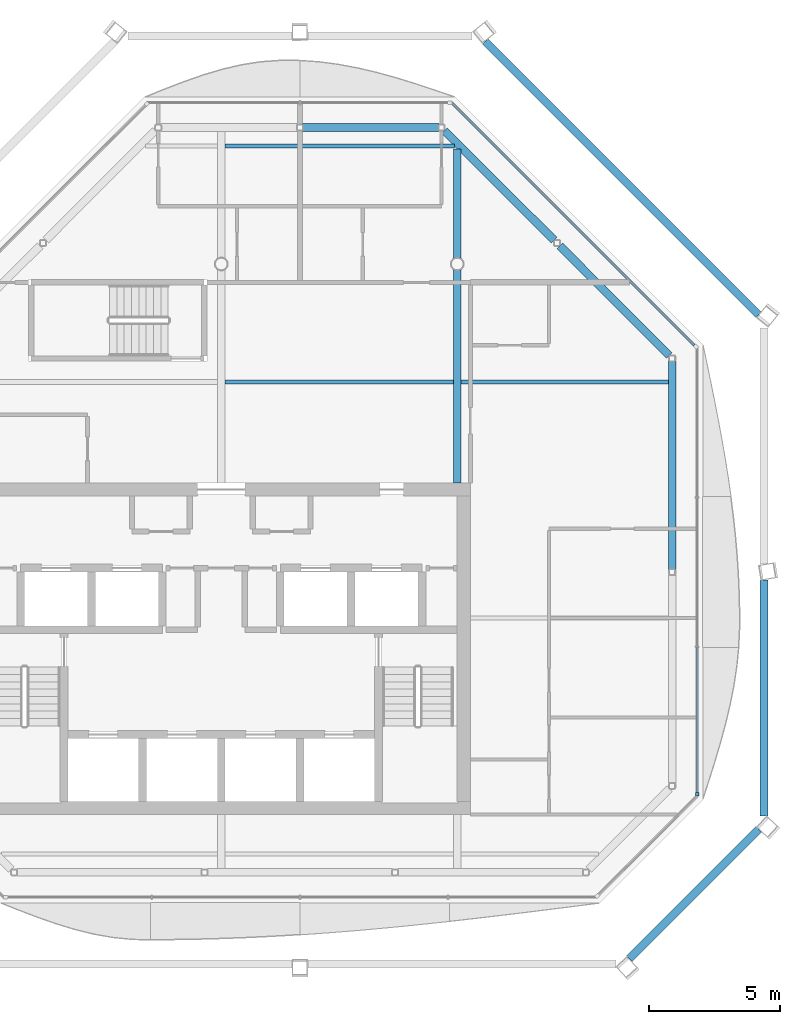
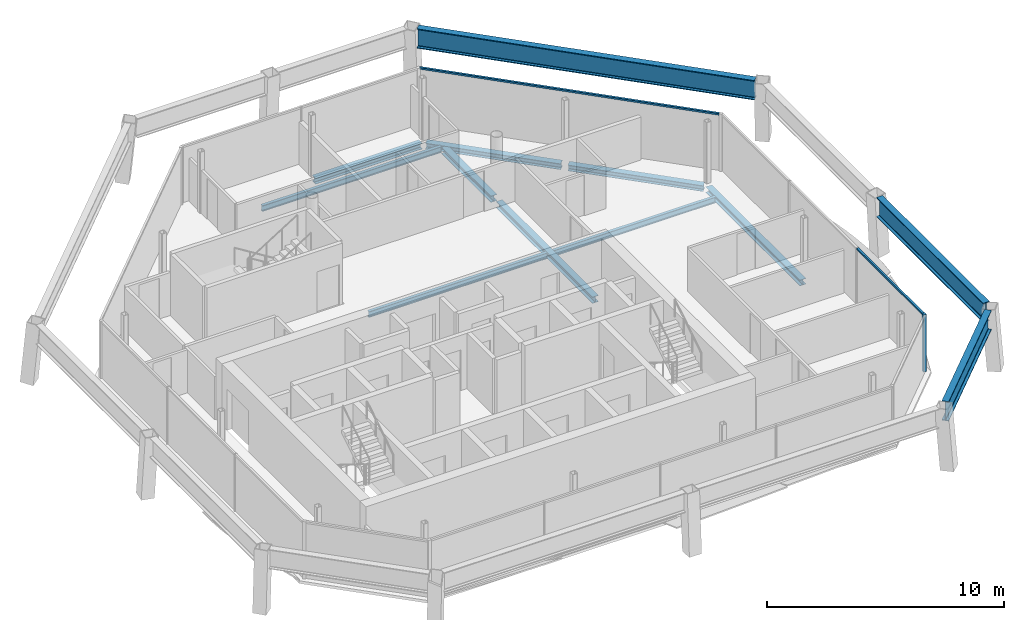
# One storey, part 6 of 14: 12 beams, 3 members, 2 elements without a shape of their own.
"""IFC4 building model written with IfcOpenShell, lengths in metres."""

from ifc_helpers import new_model, si_unit, direction, frame, origin, origin_2d, place, context, subcontext, project, spatial, rectangle, i_section, extrude, material, material_profile, profile_set, type_object, element, aggregate, save


model = new_model("IFC4")

# Units and contexts
model_context = context("Model", 3, precision=1e-05, world=origin(), true_north=direction((0.0, 1.0)))
body_context = subcontext(model_context, "Body", "Model", "MODEL_VIEW")
ifc_project = project(units=[si_unit("LENGTHUNIT", "METRE"), si_unit("AREAUNIT", "SQUARE_METRE"), si_unit("VOLUMEUNIT", "CUBIC_METRE"), si_unit("PLANEANGLEUNIT", "RADIAN"), si_unit("MASSUNIT", "GRAM", prefix="KILO")], contexts=[model_context])

# Site, building, storey
site_placement = place(None, origin())
site = spatial("IfcSite", under=ifc_project, at=site_placement, CompositionType="ELEMENT")
building_placement = place(site_placement, origin())
building = spatial("IfcBuilding", under=site, at=building_placement, Name="Tskaro Facet Tower", CompositionType="ELEMENT")
storey_placement = place(building_placement, frame((0.0, 0.0, 294.14990234375)))
storey = spatial("IfcBuildingStorey", under=building, at=storey_placement, Name="L79", CompositionType="ELEMENT", Elevation=294.14990234375)

# Curtain wall, members
ifc_material_1 = material(Name="Bronze anodised aluminium 6063-T6", Category="aluminium")
curtain_wall_type = type_object("IfcCurtainWallType", Name="Bronze residence curtain wall (FW3)", PredefinedType="NOTDEFINED", material=ifc_material_1)
curtain_wall_1_placement = place(storey_placement, origin())
curtain_wall_1 = element("IfcCurtainWall", 1, at=curtain_wall_1_placement, inside=storey, type_object=curtain_wall_type, Name="FW3 east facet L79", PredefinedType="NOTDEFINED")
ifc_material_profile_1 = material_profile(ifc_material_1, rectangle(XDim=0.139892578125, YDim=0.139892578125, at=origin_2d()), Name="Corner post 140x140")
ifc_profile_set_1 = profile_set([ifc_material_profile_1], Name="Bronze anodised aluminium 6063-T6")
member_type_1 = type_object("IfcMemberType", Name="FW3 bronze corner post 140x140", PredefinedType="MULLION", material=ifc_profile_set_1)
member_1_placement = place(storey_placement, frame((18.14990234375, -11.22607421875, 0.0), z_axis=(0.0, 0.0, 1.0), x_axis=(0.0, 1.0, 0.0)))
member_1 = element("IfcMember", 2, at=member_1_placement, type_object=member_type_1, Name="FW3 east corner post", PredefinedType="MULLION", context=body_context, shape_type="SweptSolid", body=[
    extrude(rectangle(XDim=0.139892578125, YDim=0.139892578125, at=origin_2d()), origin(), (0.0, 0.0, 1.0), 2.9501953125),
])
ifc_material_profile_2 = material_profile(ifc_material_1, rectangle(XDim=0.10009765625, YDim=0.090087890625, at=origin_2d()), Name="Transom 100x90")
ifc_profile_set_2 = profile_set([ifc_material_profile_2], Name="Bronze anodised aluminium 6063-T6")
member_type_2 = type_object("IfcMemberType", Name="FW3 bronze transom 100x90", PredefinedType="USERDEFINED", material=ifc_profile_set_2)
member_2_placement = place(storey_placement, frame((18.14990234375, -11.156005859375, 2.905029296875), z_axis=(0.0, 1.0, 0.0), x_axis=(-1.0, 0.0, 0.0)))
member_2 = element("IfcMember", 3, at=member_2_placement, type_object=member_type_2, Name="FW3 east transom 1.1", ObjectType="TRANSOM", PredefinedType="USERDEFINED", context=body_context, shape_type="SweptSolid", body=[
    extrude(rectangle(XDim=0.10009765625, YDim=0.090087890625, at=origin_2d()), origin(), (0.0, 0.0, 1.0), 5.5322265625),
])
aggregate(curtain_wall_1, [member_1, member_2])

# Curtain wall, member
curtain_wall_2_placement = place(storey_placement, origin())
curtain_wall_2 = element("IfcCurtainWall", 4, at=curtain_wall_2_placement, inside=storey, type_object=curtain_wall_type, Name="FW3 north-east facet L79", PredefinedType="NOTDEFINED")
member_3_placement = place(storey_placement, frame((18.051025390625, 5.89501953125, 2.905029296875), z_axis=(-0.707116107619, 0.707097454631, 0.0), x_axis=(-0.707097454631, -0.707116107619, 0.0)))
member_3 = element("IfcMember", 5, at=member_3_placement, type_object=member_type_2, Name="FW3 north-east transom 1.1", ObjectType="TRANSOM", PredefinedType="USERDEFINED", context=body_context, shape_type="SweptSolid", body=[
    extrude(rectangle(XDim=0.10009765625, YDim=0.090087890625, at=origin_2d()), origin(), (0.0, 0.0, 1.0), 13.088623046875),
])
aggregate(curtain_wall_2, [member_3])

# Beams
ifc_material_2 = material(Name="Steel S355J2", Category="steel")
ifc_material_profile_3 = material_profile(ifc_material_2, i_section(OverallWidth=0.302001953125, OverallDepth=1.008056640625, WebThickness=0.02099609375, FlangeThickness=0.0400390625, FilletRadius=0.030029296875, at=origin_2d()), Name="HE 1000 M")
ifc_profile_set_3 = profile_set([ifc_material_profile_3], Name="Steel S355J2")
beam_type_1 = type_object("IfcBeamType", Name="HE 1000 M crown ring beam", PredefinedType="BEAM", material=ifc_profile_set_3)
beam_1_placement = place(storey_placement, frame((15.566162109375, -17.48974609375, 2.64599609375), z_axis=(0.707106781187, 0.707106781187, 0.0), x_axis=(-0.707106781187, 0.707106781187, 0.0)))
element("IfcBeam", 6, at=beam_1_placement, inside=storey, type_object=beam_type_1, Name="HE 1000 M CR03-6", PredefinedType="BEAM", context=body_context, shape_type="SweptSolid", body=[
    extrude(i_section(OverallWidth=0.302001953125, OverallDepth=1.008056640625, WebThickness=0.02099609375, FlangeThickness=0.0400390625, FilletRadius=0.030029296875, at=origin_2d()), origin(), (0.0, 0.0, 1.0), 6.962890625),
])
beam_2_placement = place(storey_placement, frame((20.701904296875, -12.053955078125, 2.64599609375), z_axis=(0.0, 1.0, 0.0), x_axis=(-1.0, 0.0, 0.0)))
element("IfcBeam", 7, at=beam_2_placement, inside=storey, type_object=beam_type_1, Name="HE 1000 M CR04-6", PredefinedType="BEAM", context=body_context, shape_type="SweptSolid", body=[
    extrude(i_section(OverallWidth=0.302001953125, OverallDepth=1.008056640625, WebThickness=0.02099609375, FlangeThickness=0.0400390625, FilletRadius=0.030029296875, at=origin_2d()), origin(), (0.0, 0.0, 1.0), 9.00390625),
])
beam_3_placement = place(storey_placement, frame((20.48974609375, 7.066162109375, 2.64599609375), z_axis=(-0.707106781187, 0.707106781187, 0.0), x_axis=(-0.707106781187, -0.707106781187, 0.0)))
element("IfcBeam", 8, at=beam_3_placement, inside=storey, type_object=beam_type_1, Name="HE 1000 M CR06-6", PredefinedType="BEAM", context=body_context, shape_type="SweptSolid", body=[
    extrude(i_section(OverallWidth=0.302001953125, OverallDepth=1.008056640625, WebThickness=0.02099609375, FlangeThickness=0.0400390625, FilletRadius=0.030029296875, at=origin_2d()), origin(), (0.0, 0.0, 1.0), 14.7412109375),
])
ifc_material_profile_4 = material_profile(ifc_material_2, i_section(OverallWidth=0.300048828125, OverallDepth=0.300048828125, WebThickness=0.010986328125, FlangeThickness=0.01904296875, FilletRadius=0.027099609375, at=origin_2d()), Name="HE 300 B")
ifc_profile_set_4 = profile_set([ifc_material_profile_4], Name="Steel S355J2")
beam_type_2 = type_object("IfcBeamType", Name="HE 300 B ring beam", PredefinedType="BEAM", material=ifc_profile_set_4)
beam_4_placement = place(storey_placement, frame((17.199951171875, -2.64501953125, -0.289794921875), z_axis=(0.0, 1.0, 0.0), x_axis=(-1.0, 0.0, 0.0)))
element("IfcBeam", 9, at=beam_4_placement, inside=storey, type_object=beam_type_2, Name="HE 300 B EB6-6", PredefinedType="BEAM", context=body_context, shape_type="SweptSolid", body=[
    extrude(i_section(OverallWidth=0.300048828125, OverallDepth=0.300048828125, WebThickness=0.010986328125, FlangeThickness=0.01904296875, FilletRadius=0.027099609375, at=origin_2d()), origin(), (0.0, 0.0, 1.0), 7.943115234375),
])
for number, where, z_axis, x_axis, name in (
    (10, (17.089111328125, 5.513916015625, -0.289794921875), (-0.707024112481, 0.707189440228, 0.0), (-0.707189440228, -0.707024112481, 0.0), "HE 300 B EB7-6"),
    (11, (12.691162109375, 9.912841796875, -0.289794921875), (-0.707189440228, 0.707024112481, 0.0), (-0.707024112481, -0.707189440228, 0.0), "HE 300 B EB8-6"),
):
    element("IfcBeam", number, at=place(storey_placement, frame(where, z_axis=z_axis, x_axis=x_axis)), inside=storey, type_object=beam_type_2, Name=name, PredefinedType="BEAM", context=body_context, shape_type="SweptSolid", body=[
        extrude(i_section(OverallWidth=0.300048828125, OverallDepth=0.300048828125, WebThickness=0.010986328125, FlangeThickness=0.01904296875, FilletRadius=0.027099609375, at=origin_2d()), origin(), (0.0, 0.0, 1.0), 5.90673828125),
    ])
beam_5_placement = place(storey_placement, frame((8.298095703125, 14.199951171875, -0.289794921875), z_axis=(-1.0, 0.0, 0.0), x_axis=(0.0, -1.0, 0.0)))
element("IfcBeam", 12, at=beam_5_placement, inside=storey, type_object=beam_type_2, Name="HE 300 B EB9-6", PredefinedType="BEAM", context=body_context, shape_type="SweptSolid", body=[
    extrude(i_section(OverallWidth=0.300048828125, OverallDepth=0.300048828125, WebThickness=0.010986328125, FlangeThickness=0.01904296875, FilletRadius=0.027099609375, at=origin_2d()), origin(), (0.0, 0.0, 1.0), 5.193115234375),
])
ifc_material_profile_5 = material_profile(ifc_material_2, i_section(OverallWidth=0.300048828125, OverallDepth=0.330078125, WebThickness=0.009521484375, FlangeThickness=0.0166015625, FilletRadius=0.027099609375, at=origin_2d()), Name="HE 340 A")
ifc_profile_set_5 = profile_set([ifc_material_profile_5], Name="Steel S355J2")
beam_type_3 = type_object("IfcBeamType", Name="HE 340 A girder", PredefinedType="BEAM", material=ifc_profile_set_5)
beam_6_placement = place(storey_placement, frame((9.0, 0.64990234375, -0.304931640625), z_axis=(0.0, 1.0, 0.0), x_axis=(-1.0, 0.0, 0.0)))
element("IfcBeam", 13, at=beam_6_placement, inside=storey, type_object=beam_type_3, Name="HE 340 A GB5-2-6", PredefinedType="BEAM", context=body_context, shape_type="SweptSolid", body=[
    extrude(i_section(OverallWidth=0.300048828125, OverallDepth=0.330078125, WebThickness=0.009521484375, FlangeThickness=0.0166015625, FilletRadius=0.027099609375, at=origin_2d()), origin(), (0.0, 0.0, 1.0), 8.1259765625),
])
beam_7_placement = place(storey_placement, frame((9.0, 9.22412109375, -0.304931640625), z_axis=(0.0, 1.0, 0.0), x_axis=(-1.0, 0.0, 0.0)))
element("IfcBeam", 14, at=beam_7_placement, inside=storey, type_object=beam_type_3, Name="HE 340 A GB5-3-6", PredefinedType="BEAM", context=body_context, shape_type="SweptSolid", body=[
    extrude(i_section(OverallWidth=0.300048828125, OverallDepth=0.330078125, WebThickness=0.009521484375, FlangeThickness=0.0166015625, FilletRadius=0.027099609375, at=origin_2d()), origin(), (0.0, 0.0, 1.0), 4.1669921875),
])
ifc_material_profile_6 = material_profile(ifc_material_2, i_section(OverallWidth=0.14990234375, OverallDepth=0.300048828125, WebThickness=0.007080078125, FlangeThickness=0.0107421875, FilletRadius=0.014892578125, at=origin_2d()), Name="IPE 300")
ifc_profile_set_6 = profile_set([ifc_material_profile_6], Name="Steel S355J2")
beam_type_4 = type_object("IfcBeamType", Name="IPE 300 secondary beam", PredefinedType="BEAM", material=ifc_profile_set_6)
beam_8_placement = place(storey_placement, frame((0.14990234375, 4.5, -0.289794921875), z_axis=(1.0, 0.0, 0.0), x_axis=(0.0, 1.0, 0.0)))
element("IfcBeam", 15, at=beam_8_placement, inside=storey, type_object=beam_type_4, Name="IPE 300 SB4a-2-6", PredefinedType="BEAM", context=body_context, shape_type="SweptSolid", body=[
    extrude(i_section(OverallWidth=0.14990234375, OverallDepth=0.300048828125, WebThickness=0.007080078125, FlangeThickness=0.0107421875, FilletRadius=0.014892578125, at=origin_2d()), origin(), (0.0, 0.0, 1.0), 8.7001953125),
])
beam_9_placement = place(storey_placement, frame((9.14990234375, 4.5, -0.289794921875), z_axis=(1.0, 0.0, 0.0), x_axis=(0.0, 1.0, 0.0)))
element("IfcBeam", 16, at=beam_9_placement, inside=storey, type_object=beam_type_4, Name="IPE 300 SB4a-3-6", PredefinedType="BEAM", context=body_context, shape_type="SweptSolid", body=[
    extrude(i_section(OverallWidth=0.14990234375, OverallDepth=0.300048828125, WebThickness=0.007080078125, FlangeThickness=0.0107421875, FilletRadius=0.014892578125, at=origin_2d()), origin(), (0.0, 0.0, 1.0), 7.900146484375),
])
beam_10_placement = place(storey_placement, frame((0.14990234375, 13.5, -0.289794921875), z_axis=(1.0, 0.0, 0.0), x_axis=(0.0, 1.0, 0.0)))
element("IfcBeam", 17, at=beam_10_placement, inside=storey, type_object=beam_type_4, Name="IPE 300 SB5a-2-6", PredefinedType="BEAM", context=body_context, shape_type="SweptSolid", body=[
    extrude(i_section(OverallWidth=0.14990234375, OverallDepth=0.300048828125, WebThickness=0.007080078125, FlangeThickness=0.0107421875, FilletRadius=0.014892578125, at=origin_2d()), origin(), (0.0, 0.0, 1.0), 8.7412109375),
])

save(model, "model.ifc")
